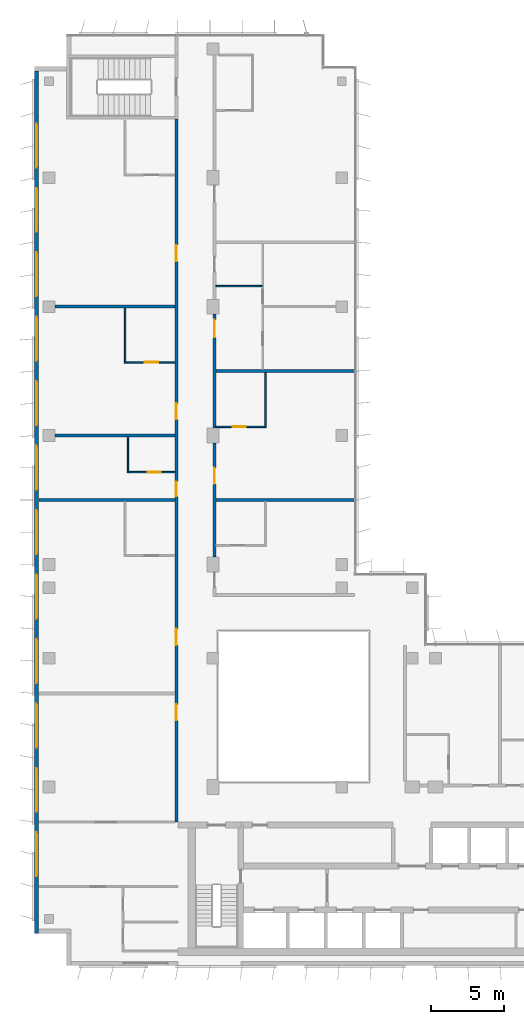
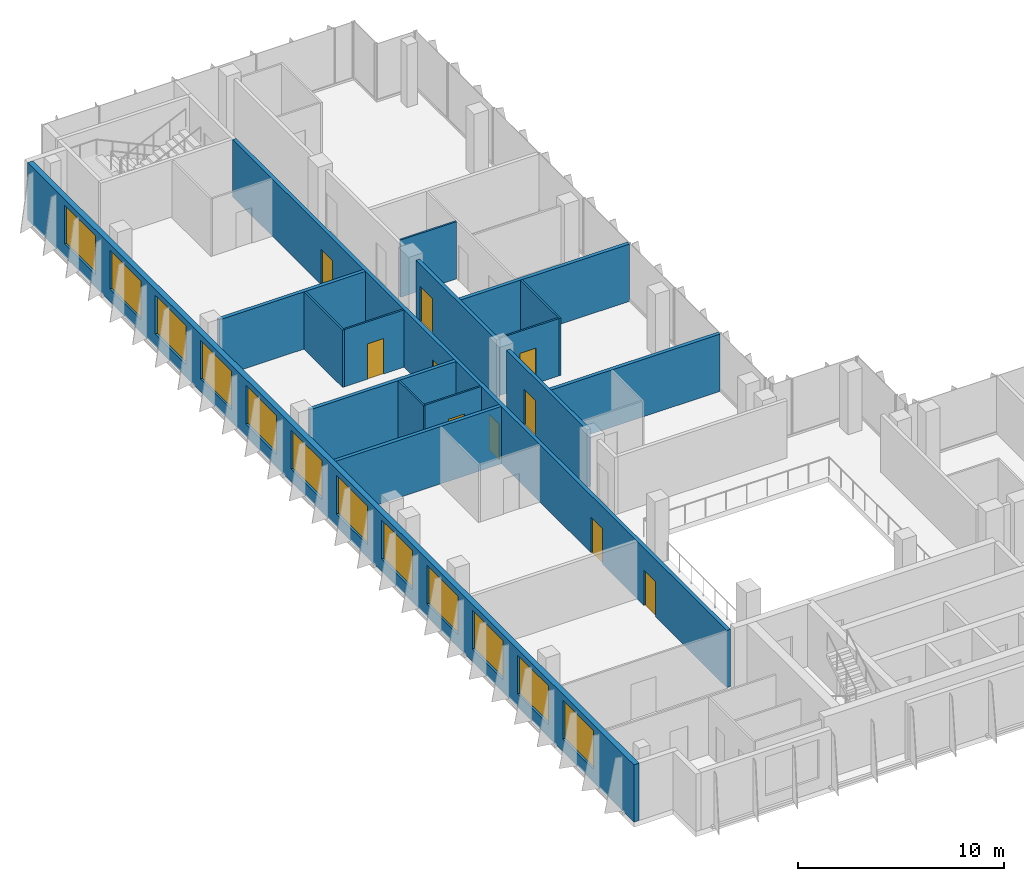
# One storey, part 11 of 15: 16 walls, 12 windows, 10 doors, 22 openings.
"""IFC4 building model written with IfcOpenShell, lengths in metres."""

from ifc_helpers import new_model, si_unit, direction, frame, frame_2d, origin, place, context, subcontext, project, spatial, rectangle, extrude, material, layer, layer_set, type_object, element, fill, save


model = new_model("IFC4")

# Units and contexts
model_context = context("Model", 3, precision=1e-05, world=origin(), true_north=direction((0.0, 1.0)))
body_context = subcontext(model_context, "Body", "Model", "MODEL_VIEW")
ifc_project = project(units=[si_unit("LENGTHUNIT", "METRE"), si_unit("AREAUNIT", "SQUARE_METRE"), si_unit("VOLUMEUNIT", "CUBIC_METRE"), si_unit("PLANEANGLEUNIT", "RADIAN"), si_unit("MASSUNIT", "GRAM", prefix="KILO")], contexts=[model_context])

# Site, building, storey
site_placement = place(None, origin())
site = spatial("IfcSite", under=ifc_project, at=site_placement, CompositionType="ELEMENT")
building_placement = place(site_placement, origin())
building = spatial("IfcBuilding", under=site, at=building_placement, Name="Kemantara Hotel Tower", CompositionType="ELEMENT")
storey_placement = place(building_placement, frame((0.0, 0.0, 261.10009765625)))
storey = spatial("IfcBuildingStorey", under=building, at=storey_placement, Name="L65", CompositionType="ELEMENT", Elevation=261.10009765625)

# Wall, openings, windows
ifc_material_1 = material(Name="Bronze anodised aluminium cladding on insulated steel stud wall", Category="steel")
ifc_layer_1 = layer(ifc_material_1, 0.300048828125)
ifc_layer_set_1 = layer_set([ifc_layer_1], Name="Bronze anodised aluminium cladding on insulated steel stud wall")
wall_type_1 = type_object("IfcWallType", Name="BRONZE METAL-CLAD EXTERNAL WALL 300", PredefinedType="STANDARD", material=ifc_layer_set_1)
wall_1_placement = place(storey_placement, frame((0.14990234375, 61.10009765625, 0.0), z_axis=(0.0, 0.0, 1.0), x_axis=(0.0, -1.0, 0.0)))
wall_1 = element("IfcWall", 1, at=wall_1_placement, inside=storey, type_object=wall_type_1, Name="EXTERNAL WALL L65 T4-R05", PredefinedType="STANDARD", context=body_context, shape_type="SweptSolid", body=[
    extrude(rectangle(XDim=58.900146484375, YDim=0.300048828125, at=frame_2d((29.4501953125, 0.0))), origin(), (0.0, 0.0, 1.0), 3.39990234375),
])
opening_1_placement = place(wall_1_placement, frame((3.60009765625, 0.0, 0.75)))
opening_1 = element("IfcOpeningElement", 2, at=opening_1_placement, cuts=wall_1, Name="Opening W1", PredefinedType="OPENING", context=body_context, shape_type="SweptSolid", body=[
    extrude(rectangle(XDim=3.0, YDim=2.300048828125, at=frame_2d((1.5, 1.14990234375))), frame((0.0, 0.159912109375, 0.0), z_axis=(0.0, -1.0, 0.0), x_axis=(1.0, 0.0, 0.0)), (0.0, 0.0, 1.0), 0.320068359375),
])
opening_2_placement = place(wall_1_placement, frame((8.0, 0.0, 0.75)))
opening_2 = element("IfcOpeningElement", 3, at=opening_2_placement, cuts=wall_1, Name="Opening W1", PredefinedType="OPENING", context=body_context, shape_type="SweptSolid", body=[
    extrude(rectangle(XDim=3.0, YDim=2.300048828125, at=frame_2d((1.5, 1.14990234375))), frame((0.0, 0.159912109375, 0.0), z_axis=(0.0, -1.0, 0.0), x_axis=(1.0, 0.0, 0.0)), (0.0, 0.0, 1.0), 0.320068359375),
])
opening_3_placement = place(wall_1_placement, frame((12.39990234375, 0.0, 0.75)))
opening_3 = element("IfcOpeningElement", 4, at=opening_3_placement, cuts=wall_1, Name="Opening W1", PredefinedType="OPENING", context=body_context, shape_type="SweptSolid", body=[
    extrude(rectangle(XDim=3.0, YDim=2.300048828125, at=frame_2d((1.5, 1.14990234375))), frame((0.0, 0.159912109375, 0.0), z_axis=(0.0, -1.0, 0.0), x_axis=(1.0, 0.0, 0.0)), (0.0, 0.0, 1.0), 0.320068359375),
])
opening_4_placement = place(wall_1_placement, frame((16.800048828125, 0.0, 0.75)))
opening_4 = element("IfcOpeningElement", 5, at=opening_4_placement, cuts=wall_1, Name="Opening W1", PredefinedType="OPENING", context=body_context, shape_type="SweptSolid", body=[
    extrude(rectangle(XDim=3.0, YDim=2.300048828125, at=frame_2d((1.5, 1.14990234375))), frame((0.0, 0.159912109375, 0.0), z_axis=(0.0, -1.0, 0.0), x_axis=(1.0, 0.0, 0.0)), (0.0, 0.0, 1.0), 0.320068359375),
])
opening_5_placement = place(wall_1_placement, frame((21.199951171875, 0.0, 0.75)))
opening_5 = element("IfcOpeningElement", 6, at=opening_5_placement, cuts=wall_1, Name="Opening W1", PredefinedType="OPENING", context=body_context, shape_type="SweptSolid", body=[
    extrude(rectangle(XDim=3.0, YDim=2.300048828125, at=frame_2d((1.5, 1.14990234375))), frame((0.0, 0.159912109375, 0.0), z_axis=(0.0, -1.0, 0.0), x_axis=(1.0, 0.0, 0.0)), (0.0, 0.0, 1.0), 0.320068359375),
])
opening_6_placement = place(wall_1_placement, frame((25.60009765625, 0.0, 0.75)))
opening_6 = element("IfcOpeningElement", 7, at=opening_6_placement, cuts=wall_1, Name="Opening W1", PredefinedType="OPENING", context=body_context, shape_type="SweptSolid", body=[
    extrude(rectangle(XDim=3.0, YDim=2.300048828125, at=frame_2d((1.5, 1.14990234375))), frame((0.0, 0.159912109375, 0.0), z_axis=(0.0, -1.0, 0.0), x_axis=(1.0, 0.0, 0.0)), (0.0, 0.0, 1.0), 0.320068359375),
])
opening_7_placement = place(wall_1_placement, frame((30.0, 0.0, 0.75)))
opening_7 = element("IfcOpeningElement", 8, at=opening_7_placement, cuts=wall_1, Name="Opening W1", PredefinedType="OPENING", context=body_context, shape_type="SweptSolid", body=[
    extrude(rectangle(XDim=3.0, YDim=2.300048828125, at=frame_2d((1.5, 1.14990234375))), frame((0.0, 0.159912109375, 0.0), z_axis=(0.0, -1.0, 0.0), x_axis=(1.0, 0.0, 0.0)), (0.0, 0.0, 1.0), 0.320068359375),
])
opening_8_placement = place(wall_1_placement, frame((34.39990234375, 0.0, 0.75)))
opening_8 = element("IfcOpeningElement", 9, at=opening_8_placement, cuts=wall_1, Name="Opening W1", PredefinedType="OPENING", context=body_context, shape_type="SweptSolid", body=[
    extrude(rectangle(XDim=3.0, YDim=2.300048828125, at=frame_2d((1.5, 1.14990234375))), frame((0.0, 0.159912109375, 0.0), z_axis=(0.0, -1.0, 0.0), x_axis=(1.0, 0.0, 0.0)), (0.0, 0.0, 1.0), 0.320068359375),
])
opening_9_placement = place(wall_1_placement, frame((38.800048828125, 0.0, 0.75)))
opening_9 = element("IfcOpeningElement", 10, at=opening_9_placement, cuts=wall_1, Name="Opening W1", PredefinedType="OPENING", context=body_context, shape_type="SweptSolid", body=[
    extrude(rectangle(XDim=3.0, YDim=2.300048828125, at=frame_2d((1.5, 1.14990234375))), frame((0.0, 0.159912109375, 0.0), z_axis=(0.0, -1.0, 0.0), x_axis=(1.0, 0.0, 0.0)), (0.0, 0.0, 1.0), 0.320068359375),
])
opening_10_placement = place(wall_1_placement, frame((43.199951171875, 0.0, 0.75)))
opening_10 = element("IfcOpeningElement", 11, at=opening_10_placement, cuts=wall_1, Name="Opening W1", PredefinedType="OPENING", context=body_context, shape_type="SweptSolid", body=[
    extrude(rectangle(XDim=3.0, YDim=2.300048828125, at=frame_2d((1.5, 1.14990234375))), frame((0.0, 0.159912109375, 0.0), z_axis=(0.0, -1.0, 0.0), x_axis=(1.0, 0.0, 0.0)), (0.0, 0.0, 1.0), 0.320068359375),
])
opening_11_placement = place(wall_1_placement, frame((47.60009765625, 0.0, 0.75)))
opening_11 = element("IfcOpeningElement", 12, at=opening_11_placement, cuts=wall_1, Name="Opening W1", PredefinedType="OPENING", context=body_context, shape_type="SweptSolid", body=[
    extrude(rectangle(XDim=3.0, YDim=2.300048828125, at=frame_2d((1.5, 1.14990234375))), frame((0.0, 0.159912109375, 0.0), z_axis=(0.0, -1.0, 0.0), x_axis=(1.0, 0.0, 0.0)), (0.0, 0.0, 1.0), 0.320068359375),
])
opening_12_placement = place(wall_1_placement, frame((52.0, 0.0, 0.75)))
opening_12 = element("IfcOpeningElement", 13, at=opening_12_placement, cuts=wall_1, Name="Opening W1", PredefinedType="OPENING", context=body_context, shape_type="SweptSolid", body=[
    extrude(rectangle(XDim=3.0, YDim=2.300048828125, at=frame_2d((1.5, 1.14990234375))), frame((0.0, 0.159912109375, 0.0), z_axis=(0.0, -1.0, 0.0), x_axis=(1.0, 0.0, 0.0)), (0.0, 0.0, 1.0), 0.320068359375),
])
ifc_material_2 = material(Name="Low-E tinted double insulated glass in bronze anodised aluminium frame", Category="aluminium")
window_type = type_object("IfcWindowType", Name="CHICAGO WINDOW, TRIPLE PANEL 3000x2300", PartitioningType="TRIPLE_PANEL_VERTICAL", PredefinedType="WINDOW", material=ifc_material_2)
window_1_placement = place(opening_1_placement, origin())
window_1 = element("IfcWindow", 14, at=window_1_placement, inside=storey, type_object=window_type, Name="CHICAGO WINDOW L65 T4-R05-54", OverallHeight=2.300048828125, OverallWidth=3.0, PartitioningType="SINGLE_PANEL", PredefinedType="WINDOW", context=body_context, shape_type="SweptSolid", body=[
    extrude(rectangle(XDim=3.0, YDim=2.300048828125, at=frame_2d((1.5, 1.14990234375))), frame((0.0, 0.030029296875, 0.0), z_axis=(0.0, -1.0, 0.0), x_axis=(1.0, 0.0, 0.0)), (0.0, 0.0, 1.0), 0.06005859375),
])
fill(opening_1, window_1)
window_2_placement = place(opening_2_placement, origin())
window_2 = element("IfcWindow", 15, at=window_2_placement, inside=storey, type_object=window_type, Name="CHICAGO WINDOW L65 T4-R05-98", OverallHeight=2.300048828125, OverallWidth=3.0, PartitioningType="SINGLE_PANEL", PredefinedType="WINDOW", context=body_context, shape_type="SweptSolid", body=[
    extrude(rectangle(XDim=3.0, YDim=2.300048828125, at=frame_2d((1.5, 1.14990234375))), frame((0.0, 0.030029296875, 0.0), z_axis=(0.0, -1.0, 0.0), x_axis=(1.0, 0.0, 0.0)), (0.0, 0.0, 1.0), 0.06005859375),
])
fill(opening_2, window_2)
window_3_placement = place(opening_3_placement, origin())
window_3 = element("IfcWindow", 16, at=window_3_placement, inside=storey, type_object=window_type, Name="CHICAGO WINDOW L65 T4-R05-142", OverallHeight=2.300048828125, OverallWidth=3.0, PartitioningType="SINGLE_PANEL", PredefinedType="WINDOW", context=body_context, shape_type="SweptSolid", body=[
    extrude(rectangle(XDim=3.0, YDim=2.300048828125, at=frame_2d((1.5, 1.14990234375))), frame((0.0, 0.030029296875, 0.0), z_axis=(0.0, -1.0, 0.0), x_axis=(1.0, 0.0, 0.0)), (0.0, 0.0, 1.0), 0.06005859375),
])
fill(opening_3, window_3)
window_4_placement = place(opening_4_placement, origin())
window_4 = element("IfcWindow", 17, at=window_4_placement, inside=storey, type_object=window_type, Name="CHICAGO WINDOW L65 T4-R05-186", OverallHeight=2.300048828125, OverallWidth=3.0, PartitioningType="SINGLE_PANEL", PredefinedType="WINDOW", context=body_context, shape_type="SweptSolid", body=[
    extrude(rectangle(XDim=3.0, YDim=2.300048828125, at=frame_2d((1.5, 1.14990234375))), frame((0.0, 0.030029296875, 0.0), z_axis=(0.0, -1.0, 0.0), x_axis=(1.0, 0.0, 0.0)), (0.0, 0.0, 1.0), 0.06005859375),
])
fill(opening_4, window_4)
window_5_placement = place(opening_5_placement, origin())
window_5 = element("IfcWindow", 18, at=window_5_placement, inside=storey, type_object=window_type, Name="CHICAGO WINDOW L65 T4-R05-230", OverallHeight=2.300048828125, OverallWidth=3.0, PartitioningType="SINGLE_PANEL", PredefinedType="WINDOW", context=body_context, shape_type="SweptSolid", body=[
    extrude(rectangle(XDim=3.0, YDim=2.300048828125, at=frame_2d((1.5, 1.14990234375))), frame((0.0, 0.030029296875, 0.0), z_axis=(0.0, -1.0, 0.0), x_axis=(1.0, 0.0, 0.0)), (0.0, 0.0, 1.0), 0.06005859375),
])
fill(opening_5, window_5)
window_6_placement = place(opening_6_placement, origin())
window_6 = element("IfcWindow", 19, at=window_6_placement, inside=storey, type_object=window_type, Name="CHICAGO WINDOW L65 T4-R05-274", OverallHeight=2.300048828125, OverallWidth=3.0, PartitioningType="SINGLE_PANEL", PredefinedType="WINDOW", context=body_context, shape_type="SweptSolid", body=[
    extrude(rectangle(XDim=3.0, YDim=2.300048828125, at=frame_2d((1.5, 1.14990234375))), frame((0.0, 0.030029296875, 0.0), z_axis=(0.0, -1.0, 0.0), x_axis=(1.0, 0.0, 0.0)), (0.0, 0.0, 1.0), 0.06005859375),
])
fill(opening_6, window_6)
window_7_placement = place(opening_7_placement, origin())
window_7 = element("IfcWindow", 20, at=window_7_placement, inside=storey, type_object=window_type, Name="CHICAGO WINDOW L65 T4-R05-318", OverallHeight=2.300048828125, OverallWidth=3.0, PartitioningType="SINGLE_PANEL", PredefinedType="WINDOW", context=body_context, shape_type="SweptSolid", body=[
    extrude(rectangle(XDim=3.0, YDim=2.300048828125, at=frame_2d((1.5, 1.14990234375))), frame((0.0, 0.030029296875, 0.0), z_axis=(0.0, -1.0, 0.0), x_axis=(1.0, 0.0, 0.0)), (0.0, 0.0, 1.0), 0.06005859375),
])
fill(opening_7, window_7)
window_8_placement = place(opening_8_placement, origin())
window_8 = element("IfcWindow", 21, at=window_8_placement, inside=storey, type_object=window_type, Name="CHICAGO WINDOW L65 T4-R05-362", OverallHeight=2.300048828125, OverallWidth=3.0, PartitioningType="SINGLE_PANEL", PredefinedType="WINDOW", context=body_context, shape_type="SweptSolid", body=[
    extrude(rectangle(XDim=3.0, YDim=2.300048828125, at=frame_2d((1.5, 1.14990234375))), frame((0.0, 0.030029296875, 0.0), z_axis=(0.0, -1.0, 0.0), x_axis=(1.0, 0.0, 0.0)), (0.0, 0.0, 1.0), 0.06005859375),
])
fill(opening_8, window_8)
window_9_placement = place(opening_9_placement, origin())
window_9 = element("IfcWindow", 22, at=window_9_placement, inside=storey, type_object=window_type, Name="CHICAGO WINDOW L65 T4-R05-406", OverallHeight=2.300048828125, OverallWidth=3.0, PartitioningType="SINGLE_PANEL", PredefinedType="WINDOW", context=body_context, shape_type="SweptSolid", body=[
    extrude(rectangle(XDim=3.0, YDim=2.300048828125, at=frame_2d((1.5, 1.14990234375))), frame((0.0, 0.030029296875, 0.0), z_axis=(0.0, -1.0, 0.0), x_axis=(1.0, 0.0, 0.0)), (0.0, 0.0, 1.0), 0.06005859375),
])
fill(opening_9, window_9)
window_10_placement = place(opening_10_placement, origin())
window_10 = element("IfcWindow", 23, at=window_10_placement, inside=storey, type_object=window_type, Name="CHICAGO WINDOW L65 T4-R05-450", OverallHeight=2.300048828125, OverallWidth=3.0, PartitioningType="SINGLE_PANEL", PredefinedType="WINDOW", context=body_context, shape_type="SweptSolid", body=[
    extrude(rectangle(XDim=3.0, YDim=2.300048828125, at=frame_2d((1.5, 1.14990234375))), frame((0.0, 0.030029296875, 0.0), z_axis=(0.0, -1.0, 0.0), x_axis=(1.0, 0.0, 0.0)), (0.0, 0.0, 1.0), 0.06005859375),
])
fill(opening_10, window_10)
window_11_placement = place(opening_11_placement, origin())
window_11 = element("IfcWindow", 24, at=window_11_placement, inside=storey, type_object=window_type, Name="CHICAGO WINDOW L65 T4-R05-494", OverallHeight=2.300048828125, OverallWidth=3.0, PartitioningType="SINGLE_PANEL", PredefinedType="WINDOW", context=body_context, shape_type="SweptSolid", body=[
    extrude(rectangle(XDim=3.0, YDim=2.300048828125, at=frame_2d((1.5, 1.14990234375))), frame((0.0, 0.030029296875, 0.0), z_axis=(0.0, -1.0, 0.0), x_axis=(1.0, 0.0, 0.0)), (0.0, 0.0, 1.0), 0.06005859375),
])
fill(opening_11, window_11)
window_12_placement = place(opening_12_placement, origin())
window_12 = element("IfcWindow", 25, at=window_12_placement, inside=storey, type_object=window_type, Name="CHICAGO WINDOW L65 T4-R05-538", OverallHeight=2.300048828125, OverallWidth=3.0, PartitioningType="SINGLE_PANEL", PredefinedType="WINDOW", context=body_context, shape_type="SweptSolid", body=[
    extrude(rectangle(XDim=3.0, YDim=2.300048828125, at=frame_2d((1.5, 1.14990234375))), frame((0.0, 0.030029296875, 0.0), z_axis=(0.0, -1.0, 0.0), x_axis=(1.0, 0.0, 0.0)), (0.0, 0.0, 1.0), 0.06005859375),
])
fill(opening_12, window_12)

# Wall, openings, doors
ifc_material_3 = material(Name="Gypsum board partition, steel studs and mineral wool, 200 mm", Category="steel")
ifc_layer_2 = layer(ifc_material_3, 0.199951171875)
ifc_layer_set_2 = layer_set([ifc_layer_2], Name="Gypsum board partition, steel studs and mineral wool, 200 mm")
wall_type_2 = type_object("IfcWallType", Name="CORRIDOR WALL 200", PredefinedType="PARTITIONING", material=ifc_layer_set_2)
wall_2_placement = place(storey_placement, frame((9.699951171875, 9.800048828125, 0.0), z_axis=(0.0, 0.0, 1.0), x_axis=(0.0, 1.0, 0.0)))
wall_2 = element("IfcWall", 26, at=wall_2_placement, inside=storey, type_object=wall_type_2, Name="CORRIDOR WALL 200 007", PredefinedType="PARTITIONING", context=body_context, shape_type="SweptSolid", body=[
    extrude(rectangle(XDim=48.0, YDim=0.199951171875, at=frame_2d((24.0, 0.0))), origin(), (0.0, 0.0, 1.0), 3.39990234375),
])
opening_13_placement = place(wall_2_placement, frame((6.949951171875, 0.0, 0.0)))
opening_13 = element("IfcOpeningElement", 27, at=opening_13_placement, cuts=wall_2, Name="Opening F32-007", PredefinedType="OPENING", context=body_context, shape_type="SweptSolid", body=[
    extrude(rectangle(XDim=1.10009765625, YDim=2.10009765625, at=frame_2d((0.550048828125, 1.050048828125))), frame((0.0, 0.10986328125, 0.0), z_axis=(0.0, -1.0, 0.0), x_axis=(1.0, 0.0, 0.0)), (0.0, 0.0, 1.0), 0.219970703125),
])
opening_14_placement = place(wall_2_placement, frame((12.10009765625, 0.0, 0.0)))
opening_14 = element("IfcOpeningElement", 28, at=opening_14_placement, cuts=wall_2, Name="Opening F32-012", PredefinedType="OPENING", context=body_context, shape_type="SweptSolid", body=[
    extrude(rectangle(XDim=1.10009765625, YDim=2.10009765625, at=frame_2d((0.550048828125, 1.050048828125))), frame((0.0, 0.10986328125, 0.0), z_axis=(0.0, -1.0, 0.0), x_axis=(1.0, 0.0, 0.0)), (0.0, 0.0, 1.0), 0.219970703125),
])
opening_15_placement = place(wall_2_placement, frame((22.25, 0.0, 0.0)))
opening_15 = element("IfcOpeningElement", 29, at=opening_15_placement, cuts=wall_2, Name="Opening F32-014", PredefinedType="OPENING", context=body_context, shape_type="SweptSolid", body=[
    extrude(rectangle(XDim=1.0, YDim=2.10009765625, at=frame_2d((0.5, 1.050048828125))), frame((0.0, 0.10986328125, 0.0), z_axis=(0.0, -1.0, 0.0), x_axis=(1.0, 0.0, 0.0)), (0.0, 0.0, 1.0), 0.219970703125),
])
opening_16_placement = place(wall_2_placement, frame((27.5, 0.0, 0.0)))
opening_16 = element("IfcOpeningElement", 30, at=opening_16_placement, cuts=wall_2, Name="Opening F32-016", PredefinedType="OPENING", context=body_context, shape_type="SweptSolid", body=[
    extrude(rectangle(XDim=1.10009765625, YDim=2.10009765625, at=frame_2d((0.550048828125, 1.050048828125))), frame((0.0, 0.10986328125, 0.0), z_axis=(0.0, -1.0, 0.0), x_axis=(1.0, 0.0, 0.0)), (0.0, 0.0, 1.0), 0.219970703125),
])
opening_17_placement = place(wall_2_placement, frame((38.300048828125, 0.0, 0.0)))
opening_17 = element("IfcOpeningElement", 31, at=opening_17_placement, cuts=wall_2, Name="Opening F32-018", PredefinedType="OPENING", context=body_context, shape_type="SweptSolid", body=[
    extrude(rectangle(XDim=1.10009765625, YDim=2.10009765625, at=frame_2d((0.550048828125, 1.050048828125))), frame((0.0, 0.10986328125, 0.0), z_axis=(0.0, -1.0, 0.0), x_axis=(1.0, 0.0, 0.0)), (0.0, 0.0, 1.0), 0.219970703125),
])
ifc_material_4 = material(Name="Hardwood veneer door leaf with steel frame", Category="steel")
door_type_1 = type_object("IfcDoorType", Name="GUEST ROOM DOOR 1000 X 2100 FD30S", OperationType="NOTDEFINED", PredefinedType="DOOR", material=ifc_material_4)
door_1_placement = place(opening_15_placement, origin())
door_1 = element("IfcDoor", 32, at=door_1_placement, inside=storey, type_object=door_type_1, Name="GUEST ROOM DOOR F32-014", OperationType="SINGLE_SWING_LEFT", OverallHeight=2.10009765625, OverallWidth=1.0, PredefinedType="DOOR", context=body_context, shape_type="SweptSolid", body=[
    extrude(rectangle(XDim=1.0, YDim=2.10009765625, at=frame_2d((0.5, 1.050048828125))), frame((0.0, 0.02490234375, 0.0), z_axis=(0.0, -1.0, 0.0), x_axis=(1.0, 0.0, 0.0)), (0.0, 0.0, 1.0), 0.050048828125),
])
fill(opening_15, door_1)
door_type_2 = type_object("IfcDoorType", Name="SUITE ENTRANCE DOOR 1100 X 2100 FD30S", OperationType="NOTDEFINED", PredefinedType="DOOR", material=ifc_material_4)
door_2_placement = place(opening_13_placement, origin())
door_2 = element("IfcDoor", 33, at=door_2_placement, inside=storey, type_object=door_type_2, Name="SUITE ENTRANCE DOOR F32-007", OperationType="SINGLE_SWING_RIGHT", OverallHeight=2.10009765625, OverallWidth=1.10009765625, PredefinedType="DOOR", context=body_context, shape_type="SweptSolid", body=[
    extrude(rectangle(XDim=1.10009765625, YDim=2.10009765625, at=frame_2d((0.550048828125, 1.050048828125))), frame((0.0, 0.02490234375, 0.0), z_axis=(0.0, -1.0, 0.0), x_axis=(1.0, 0.0, 0.0)), (0.0, 0.0, 1.0), 0.050048828125),
])
fill(opening_13, door_2)
door_3_placement = place(opening_14_placement, origin())
door_3 = element("IfcDoor", 34, at=door_3_placement, inside=storey, type_object=door_type_2, Name="SUITE ENTRANCE DOOR F32-012", OperationType="SINGLE_SWING_LEFT", OverallHeight=2.10009765625, OverallWidth=1.10009765625, PredefinedType="DOOR", context=body_context, shape_type="SweptSolid", body=[
    extrude(rectangle(XDim=1.10009765625, YDim=2.10009765625, at=frame_2d((0.550048828125, 1.050048828125))), frame((0.0, 0.02490234375, 0.0), z_axis=(0.0, -1.0, 0.0), x_axis=(1.0, 0.0, 0.0)), (0.0, 0.0, 1.0), 0.050048828125),
])
fill(opening_14, door_3)
door_4_placement = place(opening_16_placement, origin())
door_4 = element("IfcDoor", 35, at=door_4_placement, inside=storey, type_object=door_type_2, Name="SUITE ENTRANCE DOOR F32-016", OperationType="SINGLE_SWING_LEFT", OverallHeight=2.10009765625, OverallWidth=1.10009765625, PredefinedType="DOOR", context=body_context, shape_type="SweptSolid", body=[
    extrude(rectangle(XDim=1.10009765625, YDim=2.10009765625, at=frame_2d((0.550048828125, 1.050048828125))), frame((0.0, 0.02490234375, 0.0), z_axis=(0.0, -1.0, 0.0), x_axis=(1.0, 0.0, 0.0)), (0.0, 0.0, 1.0), 0.050048828125),
])
fill(opening_16, door_4)
door_5_placement = place(opening_17_placement, origin())
door_5 = element("IfcDoor", 36, at=door_5_placement, inside=storey, type_object=door_type_2, Name="SUITE ENTRANCE DOOR F32-018", OperationType="SINGLE_SWING_LEFT", OverallHeight=2.10009765625, OverallWidth=1.10009765625, PredefinedType="DOOR", context=body_context, shape_type="SweptSolid", body=[
    extrude(rectangle(XDim=1.10009765625, YDim=2.10009765625, at=frame_2d((0.550048828125, 1.050048828125))), frame((0.0, 0.02490234375, 0.0), z_axis=(0.0, -1.0, 0.0), x_axis=(1.0, 0.0, 0.0)), (0.0, 0.0, 1.0), 0.050048828125),
])
fill(opening_17, door_5)

# Wall, opening, door
wall_3_placement = place(storey_placement, frame((12.300048828125, 35.699951171875, 0.0), z_axis=(0.0, 0.0, 1.0), x_axis=(0.0, -1.0, 0.0)))
wall_3 = element("IfcWall", 37, at=wall_3_placement, inside=storey, type_object=wall_type_2, Name="CORRIDOR WALL 200 015", PredefinedType="PARTITIONING", context=body_context, shape_type="SweptSolid", body=[
    extrude(rectangle(XDim=7.7998046875, YDim=0.199951171875, at=frame_2d((3.89990234375, 0.0))), origin(), (0.0, 0.0, 1.0), 3.39990234375),
])
opening_18_placement = place(wall_3_placement, frame((1.699951171875, 0.0, 0.0)))
opening_18 = element("IfcOpeningElement", 38, at=opening_18_placement, cuts=wall_3, Name="Opening F32-022", PredefinedType="OPENING", context=body_context, shape_type="SweptSolid", body=[
    extrude(rectangle(XDim=1.10009765625, YDim=2.10009765625, at=frame_2d((0.550048828125, 1.050048828125))), frame((0.0, 0.10986328125, 0.0), z_axis=(0.0, -1.0, 0.0), x_axis=(1.0, 0.0, 0.0)), (0.0, 0.0, 1.0), 0.219970703125),
])
door_6_placement = place(opening_18_placement, origin())
door_6 = element("IfcDoor", 39, at=door_6_placement, inside=storey, type_object=door_type_2, Name="SUITE ENTRANCE DOOR F32-022", OperationType="SINGLE_SWING_RIGHT", OverallHeight=2.10009765625, OverallWidth=1.10009765625, PredefinedType="DOOR", context=body_context, shape_type="SweptSolid", body=[
    extrude(rectangle(XDim=1.10009765625, YDim=2.10009765625, at=frame_2d((0.550048828125, 1.050048828125))), frame((0.0, 0.02490234375, 0.0), z_axis=(0.0, -1.0, 0.0), x_axis=(1.0, 0.0, 0.0)), (0.0, 0.0, 1.0), 0.050048828125),
])
fill(opening_18, door_6)

wall_4_placement = place(storey_placement, frame((12.300048828125, 44.5, 0.0), z_axis=(0.0, 0.0, 1.0), x_axis=(0.0, -1.0, 0.0)))
wall_4 = element("IfcWall", 40, at=wall_4_placement, inside=storey, type_object=wall_type_2, Name="CORRIDOR WALL 200 016", PredefinedType="PARTITIONING", context=body_context, shape_type="SweptSolid", body=[
    extrude(rectangle(XDim=7.7998046875, YDim=0.199951171875, at=frame_2d((3.89990234375, 0.0))), origin(), (0.0, 0.0, 1.0), 3.39990234375),
])
opening_19_placement = place(wall_4_placement, frame((0.39990234375, 0.0, 0.0)))
opening_19 = element("IfcOpeningElement", 41, at=opening_19_placement, cuts=wall_4, Name="Opening F32-025", PredefinedType="OPENING", context=body_context, shape_type="SweptSolid", body=[
    extrude(rectangle(XDim=1.199951171875, YDim=2.10009765625, at=frame_2d((0.60009765625, 1.050048828125))), frame((0.0, 0.10986328125, 0.0), z_axis=(0.0, -1.0, 0.0), x_axis=(1.0, 0.0, 0.0)), (0.0, 0.0, 1.0), 0.219970703125),
])
door_type_3 = type_object("IfcDoorType", Name="GUEST ROOM DOOR 1200 X 2100 FD30S", OperationType="NOTDEFINED", PredefinedType="DOOR", material=ifc_material_4)
door_7_placement = place(opening_19_placement, origin())
door_7 = element("IfcDoor", 42, at=door_7_placement, inside=storey, type_object=door_type_3, Name="GUEST ROOM DOOR F32-025", OperationType="SINGLE_SWING_RIGHT", OverallHeight=2.10009765625, OverallWidth=1.199951171875, PredefinedType="DOOR", context=body_context, shape_type="SweptSolid", body=[
    extrude(rectangle(XDim=1.199951171875, YDim=2.10009765625, at=frame_2d((0.60009765625, 1.050048828125))), frame((0.0, 0.02490234375, 0.0), z_axis=(0.0, -1.0, 0.0), x_axis=(1.0, 0.0, 0.0)), (0.0, 0.0, 1.0), 0.050048828125),
])
fill(opening_19, door_7)

# Walls
ifc_layer_3 = layer(ifc_material_3, 0.199951171875)
ifc_layer_set_3 = layer_set([ifc_layer_3], Name="Gypsum board partition, steel studs and mineral wool, 200 mm")
wall_type_3 = type_object("IfcWallType", Name="GUEST ROOM PARTY WALL 200", PredefinedType="PARTITIONING", material=ifc_layer_set_3)
wall_5_placement = place(storey_placement, frame((0.31005859375, 31.800048828125, 0.0), z_axis=(0.0, 0.0, 1.0), x_axis=(1.0, 0.0, 0.0)))
element("IfcWall", 43, at=wall_5_placement, inside=storey, type_object=wall_type_3, Name="GUEST ROOM PARTY WALL 200 010", PredefinedType="PARTITIONING", context=body_context, shape_type="SweptSolid", body=[
    extrude(rectangle(XDim=9.2900390625, YDim=0.199951171875, at=frame_2d((4.64501953125, 0.0))), origin(), (0.0, 0.0, 1.0), 3.39990234375),
])
wall_6_placement = place(storey_placement, frame((12.39990234375, 31.800048828125, 0.0), z_axis=(0.0, 0.0, 1.0), x_axis=(1.0, 0.0, 0.0)))
element("IfcWall", 44, at=wall_6_placement, inside=storey, type_object=wall_type_3, Name="GUEST ROOM PARTY WALL 200 011", PredefinedType="PARTITIONING", context=body_context, shape_type="SweptSolid", body=[
    extrude(rectangle(XDim=9.47021484375, YDim=0.199951171875, at=frame_2d((4.735107421875, 0.0))), origin(), (0.0, 0.0, 1.0), 3.39990234375),
])
for number, where, z_axis, x_axis, name in (
    (45, (1.400146484375, 36.199951171875, 0.0), (0.0, 0.0, 1.0), (1.0, 0.0, 0.0), "GUEST ROOM PARTY WALL 200 012"),
    (46, (1.400146484375, 45.0, 0.0), (0.0, 0.0, 1.0), (1.0, 0.0, 0.0), "GUEST ROOM PARTY WALL 200 013"),
):
    element("IfcWall", number, at=place(storey_placement, frame(where, z_axis=z_axis, x_axis=x_axis)), inside=storey, type_object=wall_type_3, Name=name, PredefinedType="PARTITIONING", context=body_context, shape_type="SweptSolid", body=[
        extrude(rectangle(XDim=8.199951171875, YDim=0.199951171875, at=frame_2d((4.10009765625, 0.0))), origin(), (0.0, 0.0, 1.0), 3.39990234375),
    ])
wall_7_placement = place(storey_placement, frame((12.39990234375, 40.60009765625, 0.0), z_axis=(0.0, 0.0, 1.0), x_axis=(1.0, 0.0, 0.0)))
element("IfcWall", 47, at=wall_7_placement, inside=storey, type_object=wall_type_3, Name="GUEST ROOM PARTY WALL 200 020", PredefinedType="PARTITIONING", context=body_context, shape_type="SweptSolid", body=[
    extrude(rectangle(XDim=9.47021484375, YDim=0.199951171875, at=frame_2d((4.735107421875, 0.0))), origin(), (0.0, 0.0, 1.0), 3.39990234375),
])
ifc_material_5 = material(Name="Gypsum board partition on steel studs, 100 mm", Category="steel")
ifc_layer_4 = layer(ifc_material_5, 0.10009765625)
ifc_layer_set_4 = layer_set([ifc_layer_4], Name="Gypsum board partition on steel studs, 100 mm")
wall_type_4 = type_object("IfcWallType", Name="ROOM PARTITION 100", PredefinedType="PARTITIONING", material=ifc_layer_set_4)
wall_8_placement = place(storey_placement, frame((6.199951171875, 41.14990234375, 0.0), z_axis=(0.0, 0.0, 1.0), x_axis=(0.0, 1.0, 0.0)))
element("IfcWall", 48, at=wall_8_placement, inside=storey, type_object=wall_type_4, Name="ROOM PARTITION 100 035", PredefinedType="PARTITIONING", context=body_context, shape_type="SweptSolid", body=[
    extrude(rectangle(XDim=3.75, YDim=0.10009765625, at=frame_2d((1.875, 0.0))), origin(), (0.0, 0.0, 1.0), 3.39990234375),
])
wall_9_placement = place(storey_placement, frame((6.39990234375, 33.64990234375, 0.0), z_axis=(0.0, 0.0, 1.0), x_axis=(0.0, 1.0, 0.0)))
element("IfcWall", 49, at=wall_9_placement, inside=storey, type_object=wall_type_4, Name="ROOM PARTITION 100 038", PredefinedType="PARTITIONING", context=body_context, shape_type="SweptSolid", body=[
    extrude(rectangle(XDim=2.4501953125, YDim=0.10009765625, at=frame_2d((1.22509765625, 0.0))), origin(), (0.0, 0.0, 1.0), 3.39990234375),
])

# Wall, opening, door
wall_10_placement = place(storey_placement, frame((6.449951171875, 33.699951171875, 0.0), z_axis=(0.0, 0.0, 1.0), x_axis=(1.0, 0.0, 0.0)))
wall_10 = element("IfcWall", 50, at=wall_10_placement, inside=storey, type_object=wall_type_4, Name="ROOM PARTITION 100 039", PredefinedType="PARTITIONING", context=body_context, shape_type="SweptSolid", body=[
    extrude(rectangle(XDim=3.150146484375, YDim=0.10009765625, at=frame_2d((1.5751953125, 0.0))), origin(), (0.0, 0.0, 1.0), 3.39990234375),
])
opening_20_placement = place(wall_10_placement, frame((1.300048828125, 0.0, 0.0)))
opening_20 = element("IfcOpeningElement", 51, at=opening_20_placement, cuts=wall_10, Name="Opening F32-015", PredefinedType="OPENING", context=body_context, shape_type="SweptSolid", body=[
    extrude(rectangle(XDim=0.89990234375, YDim=2.10009765625, at=frame_2d((0.449951171875, 1.050048828125))), frame((0.0, 0.06005859375, 0.0), z_axis=(0.0, -1.0, 0.0), x_axis=(1.0, 0.0, 0.0)), (0.0, 0.0, 1.0), 0.1201171875),
])
door_type_4 = type_object("IfcDoorType", Name="BATHROOM DOOR 900 X 2100", OperationType="NOTDEFINED", PredefinedType="DOOR", material=ifc_material_4)
door_8_placement = place(opening_20_placement, origin())
door_8 = element("IfcDoor", 52, at=door_8_placement, inside=storey, type_object=door_type_4, Name="BATHROOM DOOR F32-015", OperationType="SINGLE_SWING_RIGHT", OverallHeight=2.10009765625, OverallWidth=0.89990234375, PredefinedType="DOOR", context=body_context, shape_type="SweptSolid", body=[
    extrude(rectangle(XDim=0.89990234375, YDim=2.10009765625, at=frame_2d((0.449951171875, 1.050048828125))), frame((0.0, 0.02490234375, 0.0), z_axis=(0.0, -1.0, 0.0), x_axis=(1.0, 0.0, 0.0)), (0.0, 0.0, 1.0), 0.050048828125),
])
fill(opening_20, door_8)

wall_11_placement = place(storey_placement, frame((6.25, 41.199951171875, 0.0), z_axis=(0.0, 0.0, 1.0), x_axis=(1.0, 0.0, 0.0)))
wall_11 = element("IfcWall", 53, at=wall_11_placement, inside=storey, type_object=wall_type_4, Name="ROOM PARTITION 100 040", PredefinedType="PARTITIONING", context=body_context, shape_type="SweptSolid", body=[
    extrude(rectangle(XDim=3.35009765625, YDim=0.10009765625, at=frame_2d((1.675048828125, 0.0))), origin(), (0.0, 0.0, 1.0), 3.39990234375),
])
opening_21_placement = place(wall_11_placement, frame((1.300048828125, 0.0, 0.0)))
opening_21 = element("IfcOpeningElement", 54, at=opening_21_placement, cuts=wall_11, Name="Opening F32-017", PredefinedType="OPENING", context=body_context, shape_type="SweptSolid", body=[
    extrude(rectangle(XDim=0.89990234375, YDim=2.10009765625, at=frame_2d((0.449951171875, 1.050048828125))), frame((0.0, 0.06005859375, 0.0), z_axis=(0.0, -1.0, 0.0), x_axis=(1.0, 0.0, 0.0)), (0.0, 0.0, 1.0), 0.1201171875),
])
door_9_placement = place(opening_21_placement, origin())
door_9 = element("IfcDoor", 55, at=door_9_placement, inside=storey, type_object=door_type_4, Name="BATHROOM DOOR F32-017", OperationType="SINGLE_SWING_RIGHT", OverallHeight=2.10009765625, OverallWidth=0.89990234375, PredefinedType="DOOR", context=body_context, shape_type="SweptSolid", body=[
    extrude(rectangle(XDim=0.89990234375, YDim=2.10009765625, at=frame_2d((0.449951171875, 1.050048828125))), frame((0.0, 0.02490234375, 0.0), z_axis=(0.0, -1.0, 0.0), x_axis=(1.0, 0.0, 0.0)), (0.0, 0.0, 1.0), 0.050048828125),
])
fill(opening_21, door_9)

# Wall
wall_12_placement = place(storey_placement, frame((15.800048828125, 36.75, 0.0), z_axis=(0.0, 0.0, 1.0), x_axis=(0.0, 1.0, 0.0)))
element("IfcWall", 56, at=wall_12_placement, inside=storey, type_object=wall_type_4, Name="ROOM PARTITION 100 043", PredefinedType="PARTITIONING", context=body_context, shape_type="SweptSolid", body=[
    extrude(rectangle(XDim=3.75, YDim=0.10009765625, at=frame_2d((1.875, 0.0))), origin(), (0.0, 0.0, 1.0), 3.39990234375),
])

# Wall, opening, door
wall_13_placement = place(storey_placement, frame((12.39990234375, 36.800048828125, 0.0), z_axis=(0.0, 0.0, 1.0), x_axis=(1.0, 0.0, 0.0)))
wall_13 = element("IfcWall", 57, at=wall_13_placement, inside=storey, type_object=wall_type_4, Name="ROOM PARTITION 100 045", PredefinedType="PARTITIONING", context=body_context, shape_type="SweptSolid", body=[
    extrude(rectangle(XDim=3.35009765625, YDim=0.10009765625, at=frame_2d((1.675048828125, 0.0))), origin(), (0.0, 0.0, 1.0), 3.39990234375),
])
opening_22_placement = place(wall_13_placement, frame((1.14990234375, 0.0, 0.0)))
opening_22 = element("IfcOpeningElement", 58, at=opening_22_placement, cuts=wall_13, Name="Opening F32-023", PredefinedType="OPENING", context=body_context, shape_type="SweptSolid", body=[
    extrude(rectangle(XDim=0.89990234375, YDim=2.10009765625, at=frame_2d((0.449951171875, 1.050048828125))), frame((0.0, 0.06005859375, 0.0), z_axis=(0.0, -1.0, 0.0), x_axis=(1.0, 0.0, 0.0)), (0.0, 0.0, 1.0), 0.1201171875),
])
door_10_placement = place(opening_22_placement, origin())
door_10 = element("IfcDoor", 59, at=door_10_placement, inside=storey, type_object=door_type_4, Name="BATHROOM DOOR F32-023", OperationType="SINGLE_SWING_LEFT", OverallHeight=2.10009765625, OverallWidth=0.89990234375, PredefinedType="DOOR", context=body_context, shape_type="SweptSolid", body=[
    extrude(rectangle(XDim=0.89990234375, YDim=2.10009765625, at=frame_2d((0.449951171875, 1.050048828125))), frame((0.0, 0.02490234375, 0.0), z_axis=(0.0, -1.0, 0.0), x_axis=(1.0, 0.0, 0.0)), (0.0, 0.0, 1.0), 0.050048828125),
])
fill(opening_22, door_10)

# Wall
wall_14_placement = place(storey_placement, frame((12.39990234375, 46.39990234375, 0.0), z_axis=(0.0, 0.0, 1.0), x_axis=(1.0, 0.0, 0.0)))
element("IfcWall", 60, at=wall_14_placement, inside=storey, type_object=wall_type_4, Name="ROOM PARTITION 100 047", PredefinedType="PARTITIONING", context=body_context, shape_type="SweptSolid", body=[
    extrude(rectangle(XDim=3.150146484375, YDim=0.10009765625, at=frame_2d((1.5751953125, 0.0))), origin(), (0.0, 0.0, 1.0), 3.39990234375),
])

save(model, "model.ifc")
